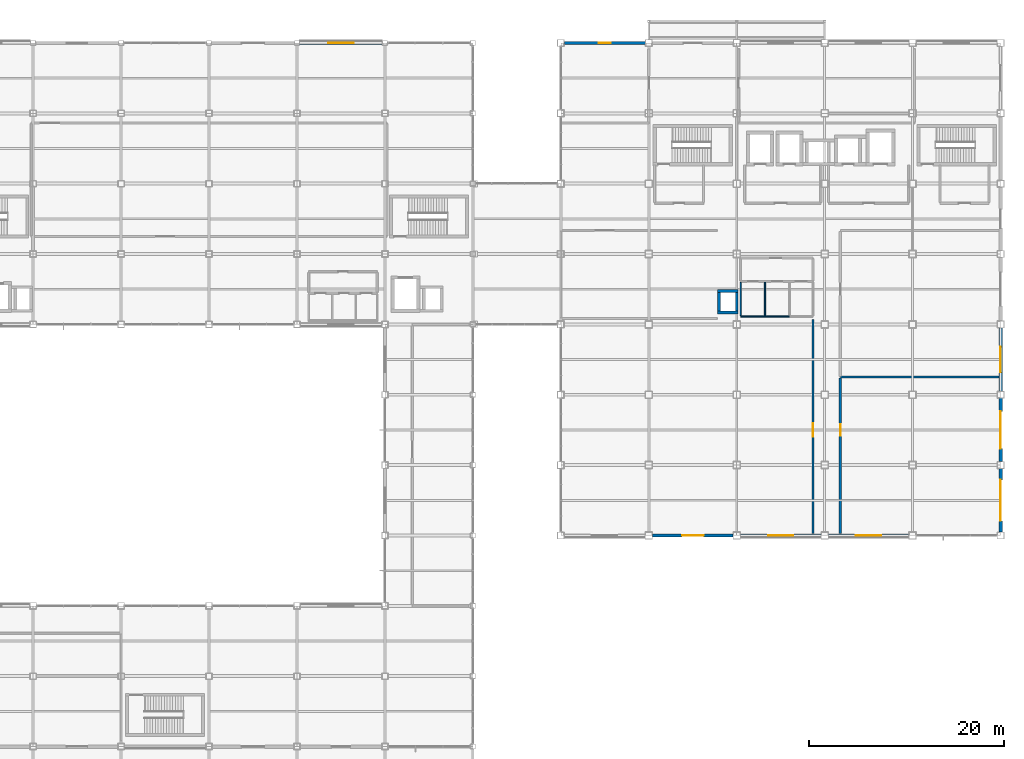
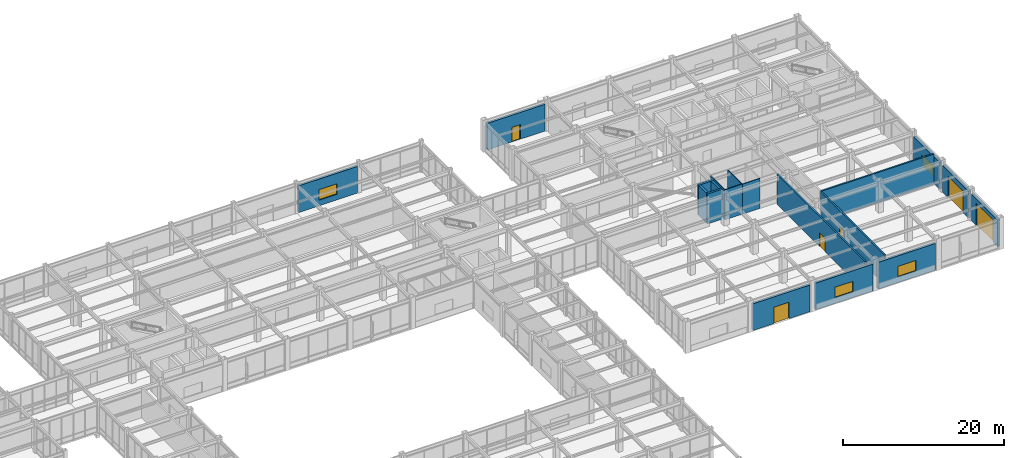
# One storey, part 93 of 112: 19 walls, 6 doors, 4 windows, 10 openings.
"""IFC4 building model written with IfcOpenShell, lengths in metres."""

from ifc_helpers import new_model, si_unit, direction, frame, frame_2d, origin, place, context, subcontext, project, spatial, rectangle, extrude, material, layer, layer_set, type_object, element, fill, save


model = new_model("IFC4")

# Units and contexts
model_context = context("Model", 3, precision=1e-05, world=origin(), true_north=direction((0.0, 1.0)))
body_context = subcontext(model_context, "Body", "Model", "MODEL_VIEW")
ifc_project = project(units=[si_unit("LENGTHUNIT", "METRE"), si_unit("AREAUNIT", "SQUARE_METRE"), si_unit("VOLUMEUNIT", "CUBIC_METRE"), si_unit("PLANEANGLEUNIT", "RADIAN"), si_unit("MASSUNIT", "GRAM", prefix="KILO")], contexts=[model_context])

# Site, building, storey
site_placement = place(None, origin())
site = spatial("IfcSite", under=ifc_project, at=site_placement, CompositionType="ELEMENT")
building_placement = place(site_placement, origin())
building = spatial("IfcBuilding", under=site, at=building_placement, Name="Kazanami Central Library", CompositionType="ELEMENT")
storey_placement = place(building_placement, origin())
storey = spatial("IfcBuildingStorey", under=building, at=storey_placement, Name="L01", CompositionType="ELEMENT", Elevation=0.0)

# Wall, opening, door
ifc_material_1 = material(Name="Concrete Fc36 (36 MPa)", Category="concrete")
ifc_layer_1 = layer(ifc_material_1, 0.27001953125, Name="Concrete Fc36 (36 MPa)")
ifc_material_2 = material(Name="Extruded Polystyrene XPS", Category="earth")
ifc_layer_2 = layer(ifc_material_2, 0.050048828125, Name="Extruded Polystyrene XPS")
ifc_material_3 = material(Name="Honed Inada Granite", Category="masonry")
ifc_layer_3 = layer(ifc_material_3, 0.030029296875, Name="Honed Inada Granite")
ifc_layer_set_1 = layer_set([ifc_layer_1, ifc_layer_2, ifc_layer_3], Name="Concrete Fc36 (36 MPa)")
wall_type_1 = type_object("IfcWallType", Name="WAL-EW-350", PredefinedType="STANDARD", material=ifc_layer_set_1)
wall_1_placement = place(storey_placement, frame((126.375, 43.199951171875, 0.0), z_axis=(0.0, 0.0, 1.0), x_axis=(1.0, 0.0, 0.0)))
wall_1 = element("IfcWall", 1, at=wall_1_placement, inside=storey, type_object=wall_type_1, Name="Exterior Facade Wall EW-350 L01 S-G-14", PredefinedType="STANDARD", context=body_context, shape_type="SweptSolid", body=[
    extrude(rectangle(XDim=8.25, YDim=0.35009765625, at=frame_2d((4.125, 0.0))), origin(), (0.0, 0.0, 1.0), 4.054931640625),
])
opening_1_placement = place(wall_1_placement, frame((3.02490234375, 0.0, 0.0)))
opening_1 = element("IfcOpeningElement", 2, at=opening_1_placement, cuts=wall_1, Name="Opening ED-01", PredefinedType="OPENING", context=body_context, shape_type="SweptSolid", body=[
    extrude(rectangle(XDim=2.199951171875, YDim=2.5, at=frame_2d((1.10009765625, 1.25))), frame((0.0, 0.18701171875, 0.0), z_axis=(0.0, -1.0, 0.0), x_axis=(1.0, 0.0, 0.0)), (0.0, 0.0, 1.0), 0.3740234375),
])
ifc_material_4 = material(Name="Anodised Aluminium A6063-T5", Category="aluminium")
door_type_1 = type_object("IfcDoorType", Name="DOR-ED-01", OperationType="DOUBLE_DOOR_SINGLE_SWING", PredefinedType="DOOR", material=ifc_material_4)
door_1_placement = place(opening_1_placement, frame((2.199951171875, 0.0, 0.0), z_axis=(0.0, 0.0, 1.0), x_axis=(-1.0, 0.0, 0.0)))
door_1 = element("IfcDoor", 3, at=door_1_placement, inside=storey, type_object=door_type_1, Name="Main Pedestrian Exit Door 09", OperationType="DOUBLE_DOOR_SINGLE_SWING", OverallHeight=2.5, OverallWidth=2.199951171875, PredefinedType="DOOR", context=body_context, shape_type="SweptSolid", body=[
    extrude(rectangle(XDim=2.199951171875, YDim=2.5, at=frame_2d((1.10009765625, 1.25))), frame((0.0, 0.02490234375, 0.0), z_axis=(0.0, -1.0, 0.0), x_axis=(1.0, 0.0, 0.0)), (0.0, 0.0, 1.0), 0.050048828125),
])
fill(opening_1, door_1)

# Wall, opening, window
wall_2_placement = place(storey_placement, frame((135.375, 43.199951171875, 0.0), z_axis=(0.0, 0.0, 1.0), x_axis=(1.0, 0.0, 0.0)))
wall_2 = element("IfcWall", 4, at=wall_2_placement, inside=storey, type_object=wall_type_1, Name="Exterior Facade Wall EW-350 L01 S-G-15", PredefinedType="STANDARD", context=body_context, shape_type="SweptSolid", body=[
    extrude(rectangle(XDim=8.25, YDim=0.35009765625, at=frame_2d((4.125, 0.0))), origin(), (0.0, 0.0, 1.0), 4.054931640625),
])
opening_2_placement = place(wall_2_placement, frame((2.824951171875, 0.0, 0.85009765625)))
opening_2 = element("IfcOpeningElement", 5, at=opening_2_placement, cuts=wall_2, Name="Opening WN-13", PredefinedType="OPENING", context=body_context, shape_type="SweptSolid", body=[
    extrude(rectangle(XDim=2.60009765625, YDim=1.60009765625, at=frame_2d((1.300048828125, 0.800048828125))), frame((0.0, 0.18701171875, 0.0), z_axis=(0.0, -1.0, 0.0), x_axis=(1.0, 0.0, 0.0)), (0.0, 0.0, 1.0), 0.3740234375),
])
ifc_material_5 = material(Name="Low-E Insulated Triple Glass", Category="glass")
window_type = type_object("IfcWindowType", Name="WIN-WN-13", PartitioningType="DOUBLE_PANEL_VERTICAL", PredefinedType="WINDOW", material=ifc_material_5)
window_1_placement = place(opening_2_placement, origin())
window_1 = element("IfcWindow", 6, at=window_1_placement, inside=storey, type_object=window_type, Name="Facade Window WN-13 L01 S-G-15", OverallHeight=1.60009765625, OverallWidth=2.60009765625, PartitioningType="DOUBLE_PANEL_VERTICAL", PredefinedType="WINDOW", context=body_context, shape_type="SweptSolid", body=[
    extrude(rectangle(XDim=2.60009765625, YDim=1.60009765625, at=frame_2d((1.300048828125, 0.800048828125))), frame((0.0, 0.030029296875, 0.0), z_axis=(0.0, -1.0, 0.0), x_axis=(1.0, 0.0, 0.0)), (0.0, 0.0, 1.0), 0.06005859375),
])
fill(opening_2, window_1)

wall_3_placement = place(storey_placement, frame((144.375, 43.199951171875, 0.0), z_axis=(0.0, 0.0, 1.0), x_axis=(1.0, 0.0, 0.0)))
wall_3 = element("IfcWall", 7, at=wall_3_placement, inside=storey, type_object=wall_type_1, Name="Exterior Facade Wall EW-350 L01 S-G-16", PredefinedType="STANDARD", context=body_context, shape_type="SweptSolid", body=[
    extrude(rectangle(XDim=8.25, YDim=0.35009765625, at=frame_2d((4.125, 0.0))), origin(), (0.0, 0.0, 1.0), 4.054931640625),
])
opening_3_placement = place(wall_3_placement, frame((2.824951171875, 0.0, 0.85009765625)))
opening_3 = element("IfcOpeningElement", 8, at=opening_3_placement, cuts=wall_3, Name="Opening WN-13", PredefinedType="OPENING", context=body_context, shape_type="SweptSolid", body=[
    extrude(rectangle(XDim=2.60009765625, YDim=1.60009765625, at=frame_2d((1.300048828125, 0.800048828125))), frame((0.0, 0.18701171875, 0.0), z_axis=(0.0, -1.0, 0.0), x_axis=(1.0, 0.0, 0.0)), (0.0, 0.0, 1.0), 0.3740234375),
])
window_2_placement = place(opening_3_placement, origin())
window_2 = element("IfcWindow", 9, at=window_2_placement, inside=storey, type_object=window_type, Name="Facade Window WN-13 L01 S-G-16", OverallHeight=1.60009765625, OverallWidth=2.60009765625, PartitioningType="DOUBLE_PANEL_VERTICAL", PredefinedType="WINDOW", context=body_context, shape_type="SweptSolid", body=[
    extrude(rectangle(XDim=2.60009765625, YDim=1.60009765625, at=frame_2d((1.300048828125, 0.800048828125))), frame((0.0, 0.030029296875, 0.0), z_axis=(0.0, -1.0, 0.0), x_axis=(1.0, 0.0, 0.0)), (0.0, 0.0, 1.0), 0.06005859375),
])
fill(opening_3, window_2)

wall_4_placement = place(storey_placement, frame((98.75, 93.60009765625, 0.0), z_axis=(0.0, 0.0, 1.0), x_axis=(-1.0, 0.0, 0.0)))
wall_4 = element("IfcWall", 10, at=wall_4_placement, inside=storey, type_object=wall_type_1, Name="Exterior Facade Wall EW-350 L01 N-O-10", PredefinedType="STANDARD", context=body_context, shape_type="SweptSolid", body=[
    extrude(rectangle(XDim=8.5, YDim=0.35009765625, at=frame_2d((4.25, 0.0))), origin(), (0.0, 0.0, 1.0), 4.054931640625),
])
opening_4_placement = place(wall_4_placement, frame((2.949951171875, 0.0, 0.85009765625)))
opening_4 = element("IfcOpeningElement", 11, at=opening_4_placement, cuts=wall_4, Name="Opening WN-13", PredefinedType="OPENING", context=body_context, shape_type="SweptSolid", body=[
    extrude(rectangle(XDim=2.60009765625, YDim=1.60009765625, at=frame_2d((1.300048828125, 0.800048828125))), frame((0.0, 0.18701171875, 0.0), z_axis=(0.0, -1.0, 0.0), x_axis=(1.0, 0.0, 0.0)), (0.0, 0.0, 1.0), 0.3740234375),
])
window_3_placement = place(opening_4_placement, origin())
window_3 = element("IfcWindow", 12, at=window_3_placement, inside=storey, type_object=window_type, Name="Facade Window WN-13 L01 N-O-10", OverallHeight=1.60009765625, OverallWidth=2.60009765625, PartitioningType="DOUBLE_PANEL_VERTICAL", PredefinedType="WINDOW", context=body_context, shape_type="SweptSolid", body=[
    extrude(rectangle(XDim=2.60009765625, YDim=1.60009765625, at=frame_2d((1.300048828125, 0.800048828125))), frame((0.0, 0.030029296875, 0.0), z_axis=(0.0, -1.0, 0.0), x_axis=(1.0, 0.0, 0.0)), (0.0, 0.0, 1.0), 0.06005859375),
])
fill(opening_4, window_3)

# Wall, opening, door
wall_5_placement = place(storey_placement, frame((125.64990234375, 93.60009765625, 0.0), z_axis=(0.0, 0.0, 1.0), x_axis=(-1.0, 0.0, 0.0)))
wall_5 = element("IfcWall", 13, at=wall_5_placement, inside=storey, type_object=wall_type_1, Name="Exterior Facade Wall EW-350 L01 N-O-13", PredefinedType="STANDARD", context=body_context, shape_type="SweptSolid", body=[
    extrude(rectangle(XDim=8.2998046875, YDim=0.35009765625, at=frame_2d((4.14990234375, 0.0))), origin(), (0.0, 0.0, 1.0), 4.054931640625),
])
opening_5_placement = place(wall_5_placement, frame((3.550048828125, 0.0, 0.0)))
opening_5 = element("IfcOpeningElement", 14, at=opening_5_placement, cuts=wall_5, Name="Opening ED-FC", PredefinedType="OPENING", context=body_context, shape_type="SweptSolid", body=[
    extrude(rectangle(XDim=1.199951171875, YDim=2.199951171875, at=frame_2d((0.60009765625, 1.10009765625))), frame((0.0, 0.18701171875, 0.0), z_axis=(0.0, -1.0, 0.0), x_axis=(1.0, 0.0, 0.0)), (0.0, 0.0, 1.0), 0.3740234375),
])
ifc_material_6 = material(Name="Cold-Rolled Steel SPCC", Category="steel")
door_type_2 = type_object("IfcDoorType", Name="DOR-ED-FC", OperationType="NOTDEFINED", PredefinedType="DOOR", material=ifc_material_6)
door_2_placement = place(opening_5_placement, frame((1.199951171875, 0.0, 0.0), z_axis=(0.0, 0.0, 1.0), x_axis=(-1.0, 0.0, 0.0)))
door_2 = element("IfcDoor", 15, at=door_2_placement, inside=storey, type_object=door_type_2, Name="Fire Command Centre Exterior Entrance Door", OperationType="SINGLE_SWING_RIGHT", OverallHeight=2.199951171875, OverallWidth=1.199951171875, PredefinedType="DOOR", context=body_context, shape_type="SweptSolid", body=[
    extrude(rectangle(XDim=1.199951171875, YDim=2.199951171875, at=frame_2d((0.60009765625, 1.10009765625))), frame((0.0, 0.02490234375, 0.0), z_axis=(0.0, -1.0, 0.0), x_axis=(1.0, 0.0, 0.0)), (0.0, 0.0, 1.0), 0.050048828125),
])
fill(opening_5, door_2)

wall_6_placement = place(storey_placement, frame((162.0, 50.050048828125, 0.0), z_axis=(0.0, 0.0, 1.0), x_axis=(0.0, -1.0, 0.0)))
wall_6 = element("IfcWall", 16, at=wall_6_placement, inside=storey, type_object=wall_type_1, Name="Exterior Facade Wall EW-350 L01 E-19-06", PredefinedType="STANDARD", context=body_context, shape_type="SweptSolid", body=[
    extrude(rectangle(XDim=6.5, YDim=0.35009765625, at=frame_2d((3.25, 0.0))), origin(), (0.0, 0.0, 1.0), 4.054931640625),
])
opening_6_placement = place(wall_6_placement, frame((1.14990234375, 0.0, 0.0)))
opening_6 = element("IfcOpeningElement", 17, at=opening_6_placement, cuts=wall_6, Name="Opening SH-01", PredefinedType="OPENING", context=body_context, shape_type="SweptSolid", body=[
    extrude(rectangle(XDim=4.199951171875, YDim=3.39990234375, at=frame_2d((2.10009765625, 1.699951171875))), frame((0.0, 0.18701171875, 0.0), z_axis=(0.0, -1.0, 0.0), x_axis=(1.0, 0.0, 0.0)), (0.0, 0.0, 1.0), 0.3740234375),
])
ifc_material_7 = material(Name="Galvanised Steel SGHC", Category="steel")
door_type_3 = type_object("IfcDoorType", Name="DOR-SH-01", OperationType="ROLLINGUP", PredefinedType="GATE", material=ifc_material_7)
door_3_placement = place(opening_6_placement, origin())
door_3 = element("IfcDoor", 18, at=door_3_placement, inside=storey, type_object=door_type_3, Name="Loading Dock Roller Shutter 01", OperationType="ROLLINGUP", OverallHeight=3.39990234375, OverallWidth=4.199951171875, PredefinedType="GATE", context=body_context, shape_type="SweptSolid", body=[
    extrude(rectangle(XDim=4.199951171875, YDim=3.39990234375, at=frame_2d((2.10009765625, 1.699951171875))), frame((0.0, 0.02490234375, 0.0), z_axis=(0.0, -1.0, 0.0), x_axis=(1.0, 0.0, 0.0)), (0.0, 0.0, 1.0), 0.050048828125),
])
fill(opening_6, door_3)

wall_7_placement = place(storey_placement, frame((162.0, 57.25, 0.0), z_axis=(0.0, 0.0, 1.0), x_axis=(0.0, -1.0, 0.0)))
wall_7 = element("IfcWall", 19, at=wall_7_placement, inside=storey, type_object=wall_type_1, Name="Exterior Facade Wall EW-350 L01 E-19-07", PredefinedType="STANDARD", context=body_context, shape_type="SweptSolid", body=[
    extrude(rectangle(XDim=6.5, YDim=0.35009765625, at=frame_2d((3.25, 0.0))), origin(), (0.0, 0.0, 1.0), 4.054931640625),
])
opening_7_placement = place(wall_7_placement, frame((1.35009765625, 0.0, 0.0)))
opening_7 = element("IfcOpeningElement", 20, at=opening_7_placement, cuts=wall_7, Name="Opening SH-02", PredefinedType="OPENING", context=body_context, shape_type="SweptSolid", body=[
    extrude(rectangle(XDim=3.800048828125, YDim=3.25, at=frame_2d((1.89990234375, 1.625))), frame((0.0, 0.18701171875, 0.0), z_axis=(0.0, -1.0, 0.0), x_axis=(1.0, 0.0, 0.0)), (0.0, 0.0, 1.0), 0.3740234375),
])
door_type_4 = type_object("IfcDoorType", Name="DOR-SH-02", OperationType="ROLLINGUP", PredefinedType="GATE", material=ifc_material_7)
door_4_placement = place(opening_7_placement, origin())
door_4 = element("IfcDoor", 21, at=door_4_placement, inside=storey, type_object=door_type_4, Name="Loading Dock Roller Shutter 02", OperationType="ROLLINGUP", OverallHeight=3.25, OverallWidth=3.800048828125, PredefinedType="GATE", context=body_context, shape_type="SweptSolid", body=[
    extrude(rectangle(XDim=3.800048828125, YDim=3.25, at=frame_2d((1.89990234375, 1.625))), frame((0.0, 0.02490234375, 0.0), z_axis=(0.0, -1.0, 0.0), x_axis=(1.0, 0.0, 0.0)), (0.0, 0.0, 1.0), 0.050048828125),
])
fill(opening_7, door_4)

# Wall, opening, window
wall_8_placement = place(storey_placement, frame((162.0, 64.449951171875, 0.0), z_axis=(0.0, 0.0, 1.0), x_axis=(0.0, -1.0, 0.0)))
wall_8 = element("IfcWall", 22, at=wall_8_placement, inside=storey, type_object=wall_type_1, Name="Exterior Facade Wall EW-350 L01 E-19-08", PredefinedType="STANDARD", context=body_context, shape_type="SweptSolid", body=[
    extrude(rectangle(XDim=6.5, YDim=0.35009765625, at=frame_2d((3.25, 0.0))), origin(), (0.0, 0.0, 1.0), 4.054931640625),
])
opening_8_placement = place(wall_8_placement, frame((1.949951171875, 0.0, 0.85009765625)))
opening_8 = element("IfcOpeningElement", 23, at=opening_8_placement, cuts=wall_8, Name="Opening WN-13", PredefinedType="OPENING", context=body_context, shape_type="SweptSolid", body=[
    extrude(rectangle(XDim=2.60009765625, YDim=1.60009765625, at=frame_2d((1.300048828125, 0.800048828125))), frame((0.0, 0.18701171875, 0.0), z_axis=(0.0, -1.0, 0.0), x_axis=(1.0, 0.0, 0.0)), (0.0, 0.0, 1.0), 0.3740234375),
])
window_4_placement = place(opening_8_placement, origin())
window_4 = element("IfcWindow", 24, at=window_4_placement, inside=storey, type_object=window_type, Name="Facade Window WN-13 L01 E-19-08", OverallHeight=1.60009765625, OverallWidth=2.60009765625, PartitioningType="DOUBLE_PANEL_VERTICAL", PredefinedType="WINDOW", context=body_context, shape_type="SweptSolid", body=[
    extrude(rectangle(XDim=2.60009765625, YDim=1.60009765625, at=frame_2d((1.300048828125, 0.800048828125))), frame((0.0, 0.030029296875, 0.0), z_axis=(0.0, -1.0, 0.0), x_axis=(1.0, 0.0, 0.0)), (0.0, 0.0, 1.0), 0.06005859375),
])
fill(opening_8, window_4)

# Wall, opening, door
ifc_material_8 = material(Name="Fire-Resistant Gypsum Board GB-F", Category="gypsum")
ifc_layer_4 = layer(ifc_material_8, 0.219970703125, Name="Fire-Resistant Gypsum Board GB-F")
ifc_layer_set_2 = layer_set([ifc_layer_4], Name="Fire-Resistant Gypsum Board GB-F")
wall_type_2 = type_object("IfcWallType", Name="WAL-FW-220", PredefinedType="PARTITIONING", material=ifc_layer_set_2)
wall_9_placement = place(storey_placement, frame((142.800048828125, 43.3798828125, 0.0), z_axis=(0.0, 0.0, 1.0), x_axis=(0.0, 1.0, 0.0)))
wall_9 = element("IfcWall", 25, at=wall_9_placement, inside=storey, type_object=wall_type_2, Name="Interior Partition FW-220 L01 RM-40 (East)", PredefinedType="PARTITIONING", context=body_context, shape_type="SweptSolid", body=[
    extrude(rectangle(XDim=21.93017578125, YDim=0.219970703125, at=frame_2d((10.965087890625, 0.0))), origin(), (0.0, 0.0, 1.0), 4.554931640625),
])
opening_9_placement = place(wall_9_placement, frame((9.945068359375, 0.0, 0.0)))
opening_9 = element("IfcOpeningElement", 26, at=opening_9_placement, cuts=wall_9, Name="Opening FD60-7", PredefinedType="OPENING", context=body_context, shape_type="SweptSolid", body=[
    extrude(rectangle(XDim=1.35009765625, YDim=2.080078125, at=frame_2d((0.675048828125, 1.0400390625))), frame((0.0, 0.1220703125, 0.0), z_axis=(0.0, -1.0, 0.0), x_axis=(1.0, 0.0, 0.0)), (0.0, 0.0, 1.0), 0.243896484375),
])
door_type_5 = type_object("IfcDoorType", Name="DOR-FD60-7", OperationType="DOUBLE_DOOR_SINGLE_SWING", PredefinedType="DOOR", material=ifc_material_6)
door_5_placement = place(opening_9_placement, origin())
door_5 = element("IfcDoor", 27, at=door_5_placement, inside=storey, type_object=door_type_5, Name="Interior Door FD60-7 L01 RM-40", OperationType="DOUBLE_DOOR_SINGLE_SWING", OverallHeight=2.080078125, OverallWidth=1.35009765625, PredefinedType="DOOR", context=body_context, shape_type="SweptSolid", body=[
    extrude(rectangle(XDim=1.35009765625, YDim=2.080078125, at=frame_2d((0.675048828125, 1.0400390625))), frame((0.0, 0.02490234375, 0.0), z_axis=(0.0, -1.0, 0.0), x_axis=(1.0, 0.0, 0.0)), (0.0, 0.0, 1.0), 0.050048828125),
])
fill(opening_9, door_5)

# Wall
wall_10_placement = place(storey_placement, frame((145.60009765625, 59.39990234375, 0.0), z_axis=(0.0, 0.0, 1.0), x_axis=(1.0, 0.0, 0.0)))
element("IfcWall", 28, at=wall_10_placement, inside=storey, type_object=wall_type_2, Name="Interior Partition FW-220 L01 RM-42 (North)", PredefinedType="PARTITIONING", context=body_context, shape_type="SweptSolid", body=[
    extrude(rectangle(XDim=16.219970703125, YDim=0.219970703125, at=frame_2d((8.10986328125, 0.0))), origin(), (0.0, 0.0, 1.0), 4.554931640625),
])

# Wall, opening, door
wall_11_placement = place(storey_placement, frame((145.60009765625, 43.3798828125, 0.0), z_axis=(0.0, 0.0, 1.0), x_axis=(0.0, 1.0, 0.0)))
wall_11 = element("IfcWall", 29, at=wall_11_placement, inside=storey, type_object=wall_type_2, Name="Interior Partition FW-220 L01 RM-42 (West)", PredefinedType="PARTITIONING", context=body_context, shape_type="SweptSolid", body=[
    extrude(rectangle(XDim=15.93017578125, YDim=0.219970703125, at=frame_2d((7.965087890625, 0.0))), origin(), (0.0, 0.0, 1.0), 4.554931640625),
])
opening_10_placement = place(wall_11_placement, frame((10.02001953125, 0.0, 0.0)))
opening_10 = element("IfcOpeningElement", 30, at=opening_10_placement, cuts=wall_11, Name="Opening FD60-1", PredefinedType="OPENING", context=body_context, shape_type="SweptSolid", body=[
    extrude(rectangle(XDim=1.199951171875, YDim=2.10009765625, at=frame_2d((0.60009765625, 1.050048828125))), frame((0.0, 0.1220703125, 0.0), z_axis=(0.0, -1.0, 0.0), x_axis=(1.0, 0.0, 0.0)), (0.0, 0.0, 1.0), 0.243896484375),
])
door_type_6 = type_object("IfcDoorType", Name="DOR-FD60-1", OperationType="NOTDEFINED", PredefinedType="DOOR", material=ifc_material_6)
door_6_placement = place(opening_10_placement, origin())
door_6 = element("IfcDoor", 31, at=door_6_placement, inside=storey, type_object=door_type_6, Name="Interior Door FD60-1 L01 RM-42", OperationType="SINGLE_SWING_RIGHT", OverallHeight=2.10009765625, OverallWidth=1.199951171875, PredefinedType="DOOR", context=body_context, shape_type="SweptSolid", body=[
    extrude(rectangle(XDim=1.199951171875, YDim=2.10009765625, at=frame_2d((0.60009765625, 1.050048828125))), frame((0.0, 0.02490234375, 0.0), z_axis=(0.0, -1.0, 0.0), x_axis=(1.0, 0.0, 0.0)), (0.0, 0.0, 1.0), 0.050048828125),
])
fill(opening_10, door_6)

# Walls
ifc_material_9 = material(Name="Gypsum Plasterboard GB-R", Category="gypsum")
ifc_layer_5 = layer(ifc_material_9, 0.125, Name="Gypsum Plasterboard GB-R")
ifc_layer_set_3 = layer_set([ifc_layer_5], Name="Gypsum Plasterboard GB-R")
wall_type_3 = type_object("IfcWallType", Name="WAL-PW-125", PredefinedType="PARTITIONING", material=ifc_layer_set_3)
wall_12_placement = place(storey_placement, frame((135.39990234375, 65.60009765625, 0.0), z_axis=(0.0, 0.0, 1.0), x_axis=(1.0, 0.0, 0.0)))
element("IfcWall", 32, at=wall_12_placement, inside=storey, type_object=wall_type_3, Name="Interior Partition PW-125 L01 WC-V2-M (South)", PredefinedType="PARTITIONING", context=body_context, shape_type="SweptSolid", body=[
    extrude(rectangle(XDim=2.5, YDim=0.125, at=frame_2d((1.25, 0.0))), origin(), (0.0, 0.0, 1.0), 4.554931640625),
])
for number, where, z_axis, x_axis, name in (
    (33, (135.39990234375, 65.68994140625, 0.0), (0.0, 0.0, 1.0), (0.0, 1.0, 0.0), "Interior Partition PW-125 L01 WC-V2-M (West)"),
    (34, (137.89990234375, 65.68994140625, 0.0), (0.0, 0.0, 1.0), (0.0, 1.0, 0.0), "Interior Partition PW-125 L01 WC-V2-M (East)"),
):
    element("IfcWall", number, at=place(storey_placement, frame(where, z_axis=z_axis, x_axis=x_axis)), inside=storey, type_object=wall_type_3, Name=name, PredefinedType="PARTITIONING", context=body_context, shape_type="SweptSolid", body=[
        extrude(rectangle(XDim=3.420166015625, YDim=0.125, at=frame_2d((1.7099609375, 0.0))), origin(), (0.0, 0.0, 1.0), 4.554931640625),
    ])
wall_13_placement = place(storey_placement, frame((137.89990234375, 65.60009765625, 0.0), z_axis=(0.0, 0.0, 1.0), x_axis=(1.0, 0.0, 0.0)))
element("IfcWall", 35, at=wall_13_placement, inside=storey, type_object=wall_type_3, Name="Interior Partition PW-125 L01 WC-V2-F (South)", PredefinedType="PARTITIONING", context=body_context, shape_type="SweptSolid", body=[
    extrude(rectangle(XDim=2.5, YDim=0.125, at=frame_2d((1.25, 0.0))), origin(), (0.0, 0.0, 1.0), 4.554931640625),
])
ifc_layer_6 = layer(ifc_material_1, 0.300048828125, Name="Concrete Fc36 (36 MPa)")
ifc_layer_set_4 = layer_set([ifc_layer_6], Name="Concrete Fc36 (36 MPa)")
wall_type_4 = type_object("IfcWallType", Name="WAL-SW-300", PredefinedType="SHEAR", material=ifc_layer_set_4)
for number, where, z_axis, x_axis, name in (
    (36, (133.050048828125, 66.0, 0.0), (0.0, 0.0, 1.0), (1.0, 0.0, 0.0), "Service Riser Wall RSR-V2-B S L01"),
    (37, (133.050048828125, 68.199951171875, 0.0), (0.0, 0.0, 1.0), (1.0, 0.0, 0.0), "Service Riser Wall RSR-V2-B N L01"),
):
    element("IfcWall", number, at=place(storey_placement, frame(where, z_axis=z_axis, x_axis=x_axis)), inside=storey, type_object=wall_type_4, Name=name, PredefinedType="SHEAR", context=body_context, shape_type="SweptSolid", body=[
        extrude(rectangle(XDim=2.099853515625, YDim=0.300048828125, at=frame_2d((1.0498046875, 0.0))), origin(), (0.0, 0.0, 1.0), 4.554931640625),
    ])
for number, where, z_axis, x_axis, name in (
    (38, (133.199951171875, 66.14990234375, 0.0), (0.0, 0.0, 1.0), (0.0, 1.0, 0.0), "Service Riser Wall RSR-V2-B W L01"),
    (39, (135.0, 66.14990234375, 0.0), (0.0, 0.0, 1.0), (0.0, 1.0, 0.0), "Service Riser Wall RSR-V2-B E L01"),
):
    element("IfcWall", number, at=place(storey_placement, frame(where, z_axis=z_axis, x_axis=x_axis)), inside=storey, type_object=wall_type_4, Name=name, PredefinedType="SHEAR", context=body_context, shape_type="SweptSolid", body=[
        extrude(rectangle(XDim=1.900146484375, YDim=0.300048828125, at=frame_2d((0.9501953125, 0.0))), origin(), (0.0, 0.0, 1.0), 4.554931640625),
    ])

save(model, "model.ifc")
